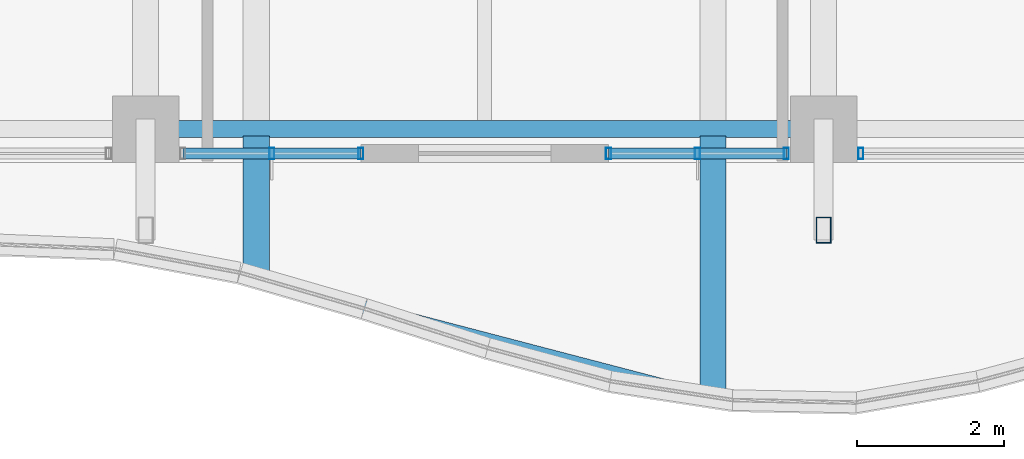
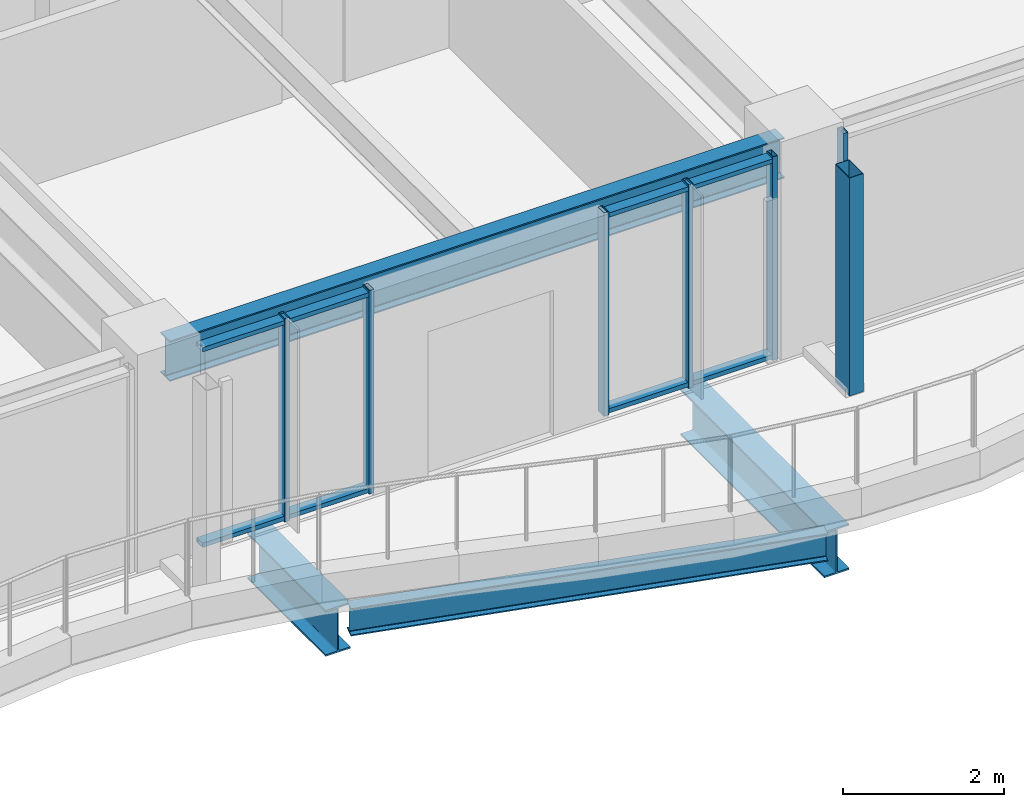
# One storey, part 5 of 37: 11 members, 4 beams, 3 elements without a shape of their own.
"""IFC4 building model written with IfcOpenShell, lengths in metres."""

from ifc_helpers import new_model, si_unit, direction, frame, origin, origin_2d, place, context, subcontext, project, spatial, hollow_rectangle, i_section, extrude, material, material_profile, profile_set, type_object, element, aggregate, save


model = new_model("IFC4")

# Units and contexts
model_context = context("Model", 3, precision=1e-05, world=origin(), true_north=direction((0.0, 1.0)))
body_context = subcontext(model_context, "Body", "Model", "MODEL_VIEW")
ifc_project = project(units=[si_unit("LENGTHUNIT", "METRE"), si_unit("AREAUNIT", "SQUARE_METRE"), si_unit("VOLUMEUNIT", "CUBIC_METRE"), si_unit("PLANEANGLEUNIT", "RADIAN"), si_unit("MASSUNIT", "GRAM", prefix="KILO")], contexts=[model_context])

# Site, building, storey
site_placement = place(None, origin())
site = spatial("IfcSite", under=ifc_project, at=site_placement, CompositionType="ELEMENT")
building_placement = place(site_placement, origin())
building = spatial("IfcBuilding", under=site, at=building_placement, Name="Kolvaren Belvedere", CompositionType="ELEMENT")
storey_placement = place(building_placement, frame((0.0, 0.0, 180.0)))
storey = spatial("IfcBuildingStorey", under=building, at=storey_placement, Name="L52", CompositionType="ELEMENT", Elevation=180.0)

# Beams
ifc_material_1 = material(Name="Structural steel ASTM A992 Grade 50", Category="steel")
ifc_material_profile_1 = material_profile(ifc_material_1, i_section(OverallWidth=0.35498046875, OverallDepth=0.696044921875, WebThickness=0.015380859375, FlangeThickness=0.02490234375, FilletRadius=0.02197265625, at=origin_2d()), Name="W27X146")
ifc_profile_set_1 = profile_set([ifc_material_profile_1], Name="Structural steel ASTM A992 Grade 50")
beam_type_1 = type_object("IfcBeamType", Name="BM-CANT-BAL", PredefinedType="BEAM", material=ifc_profile_set_1)
beam_1_placement = place(storey_placement, frame((-3.10009765625, -20.044921875, -0.568115234375), z_axis=(0.0, -1.0, 0.0), x_axis=(1.0, 0.0, 0.0)))
element("IfcBeam", 1, at=beam_1_placement, inside=storey, type_object=beam_type_1, Name="L52 Planted Balcony Cantilever BAL-S-1", PredefinedType="BEAM", context=body_context, shape_type="SweptSolid", body=[
    extrude(i_section(OverallWidth=0.35498046875, OverallDepth=0.696044921875, WebThickness=0.015380859375, FlangeThickness=0.02490234375, FilletRadius=0.02197265625, at=origin_2d()), origin(), (0.0, 0.0, 1.0), 1.94189453125),
])
beam_2_placement = place(storey_placement, frame((3.10009765625, -20.044921875, -0.568115234375), z_axis=(0.0, -1.0, 0.0), x_axis=(1.0, 0.0, 0.0)))
element("IfcBeam", 2, at=beam_2_placement, inside=storey, type_object=beam_type_1, Name="L52 Planted Balcony Cantilever BAL-S-2", PredefinedType="BEAM", context=body_context, shape_type="SweptSolid", body=[
    extrude(i_section(OverallWidth=0.35498046875, OverallDepth=0.696044921875, WebThickness=0.015380859375, FlangeThickness=0.02490234375, FilletRadius=0.02197265625, at=origin_2d()), origin(), (0.0, 0.0, 1.0), 3.56103515625),
])
ifc_material_2 = material(Name="Structural steel ASTM A992 Grade 50", Category="steel")
ifc_material_profile_2 = material_profile(ifc_material_2, i_section(OverallWidth=0.180908203125, OverallDepth=0.4169921875, WebThickness=0.010986328125, FlangeThickness=0.018310546875, FilletRadius=0.013916015625, at=origin_2d()), Name="W16X57")
ifc_profile_set_2 = profile_set([ifc_material_profile_2], Name="Structural steel ASTM A992 Grade 50")
beam_type_2 = type_object("IfcBeamType", Name="BM-EDGE-W16X57", PredefinedType="BEAM", material=ifc_profile_set_2)
beam_3_placement = place(storey_placement, frame((-2.964599609375, -22.022216796875, -0.428466796875), z_axis=(0.9675537799, -0.25266515985, 0.0), x_axis=(0.25266515985, 0.9675537799, 0.0)))
element("IfcBeam", 3, at=beam_3_placement, inside=storey, type_object=beam_type_2, Name="L52 Balcony Tip Header Beam BAL-S", PredefinedType="BEAM", context=body_context, shape_type="SweptSolid", body=[
    extrude(i_section(OverallWidth=0.180908203125, OverallDepth=0.4169921875, WebThickness=0.010986328125, FlangeThickness=0.018310546875, FilletRadius=0.013916015625, at=origin_2d()), origin(), (0.0, 0.0, 1.0), 6.1279296875),
])
ifc_material_3 = material(Name="Structural steel ASTM A992 Grade 50", Category="steel")
ifc_material_profile_3 = material_profile(ifc_material_3, i_section(OverallWidth=0.22900390625, OverallDepth=0.612060546875, WebThickness=0.011962890625, FlangeThickness=0.01953125, FilletRadius=0.01806640625, at=origin_2d()), Name="W24X84")
ifc_profile_set_3 = profile_set([ifc_material_profile_3], Name="Structural steel ASTM A992 Grade 50")
beam_type_3 = type_object("IfcBeamType", Name="BM-SPAN-W24X84", PredefinedType="SPANDREL", material=ifc_profile_set_3)
beam_4_placement = place(storey_placement, frame((-4.3974609375, -19.949951171875, 2.77392578125), z_axis=(1.0, 0.0, 0.0), x_axis=(0.0, 1.0, 0.0)))
element("IfcBeam", 4, at=beam_4_placement, inside=storey, type_object=beam_type_3, Name="L52 Perimeter Spandrel S2-S3", PredefinedType="SPANDREL", context=body_context, shape_type="SweptSolid", body=[
    extrude(i_section(OverallWidth=0.22900390625, OverallDepth=0.612060546875, WebThickness=0.011962890625, FlangeThickness=0.01953125, FilletRadius=0.01806640625, at=origin_2d()), origin(), (0.0, 0.0, 1.0), 8.794921875),
])

# Curtain wall, member
ifc_material_4 = material(Name="Anodised pale-metal aluminium AA 6063-T6", Category="aluminium")
curtain_wall_type = type_object("IfcCurtainWallType", Name="CW-Z5-HIGH", PredefinedType="NOTDEFINED", material=ifc_material_4)
curtain_wall_1_placement = place(storey_placement, origin())
curtain_wall_1 = element("IfcCurtainWall", 5, at=curtain_wall_1_placement, inside=storey, type_object=curtain_wall_type, Name="L52 Unitised Curtain Wall FCW-L52-S1-B1", PredefinedType="NOTDEFINED")
ifc_material_5 = material(Name="Anodised pale-metal aluminium AA 6063-T6", Category="aluminium")
ifc_material_profile_4 = material_profile(ifc_material_5, hollow_rectangle(XDim=0.070068359375, YDim=0.14990234375, WallThickness=0.004150390625, at=origin_2d()), Name="ALU-MUL-150X70")
ifc_profile_set_4 = profile_set([ifc_material_profile_4], Name="Anodised pale-metal aluminium AA 6063-T6")
member_type_1 = type_object("IfcMemberType", Name="CW-MUL-150", PredefinedType="MULLION", material=ifc_profile_set_4)
member_1_placement = place(storey_placement, frame((5.10498046875, -20.280029296875, 0.0), z_axis=(0.0, 0.0, 1.0), x_axis=(1.0, 0.0, 0.0)))
member_1 = element("IfcMember", 6, at=member_1_placement, type_object=member_type_1, Name="FCW-L52-S1-B1 Unitised Mullion 3", PredefinedType="MULLION", context=body_context, shape_type="SweptSolid", body=[
    extrude(hollow_rectangle(XDim=0.070068359375, YDim=0.14990234375, WallThickness=0.004150390625, at=origin_2d()), origin(), (0.0, 0.0, 1.0), 3.080078125),
])
aggregate(curtain_wall_1, [member_1])

# Curtain wall, members
curtain_wall_2_placement = place(storey_placement, origin())
curtain_wall_2 = element("IfcCurtainWall", 7, at=curtain_wall_2_placement, inside=storey, type_object=curtain_wall_type, Name="L52 Unitised Curtain Wall FCW-L52-S1-B2", PredefinedType="NOTDEFINED")
member_2_placement = place(storey_placement, frame((4.094970703125, -20.280029296875, 0.0), z_axis=(0.0, 0.0, 1.0), x_axis=(1.0, 0.0, 0.0)))
member_2 = element("IfcMember", 8, at=member_2_placement, type_object=member_type_1, Name="FCW-L52-S1-B2 Unitised Mullion 1", PredefinedType="MULLION", context=body_context, shape_type="SweptSolid", body=[
    extrude(hollow_rectangle(XDim=0.070068359375, YDim=0.14990234375, WallThickness=0.004150390625, at=origin_2d()), origin(), (0.0, 0.0, 1.0), 3.080078125),
])
member_3_placement = place(storey_placement, frame((2.887451171875, -20.280029296875, 0.0), z_axis=(0.0, 0.0, 1.0), x_axis=(1.0, 0.0, 0.0)))
member_3 = element("IfcMember", 9, at=member_3_placement, type_object=member_type_1, Name="FCW-L52-S1-B2 Unitised Mullion 2", PredefinedType="MULLION", context=body_context, shape_type="SweptSolid", body=[
    extrude(hollow_rectangle(XDim=0.070068359375, YDim=0.14990234375, WallThickness=0.004150390625, at=origin_2d()), origin(), (0.0, 0.0, 1.0), 3.080078125),
])
member_4_placement = place(storey_placement, frame((1.679931640625, -20.280029296875, 0.0), z_axis=(0.0, 0.0, 1.0), x_axis=(1.0, 0.0, 0.0)))
member_4 = element("IfcMember", 10, at=member_4_placement, type_object=member_type_1, Name="FCW-L52-S1-B2 Unitised Mullion 3", PredefinedType="MULLION", context=body_context, shape_type="SweptSolid", body=[
    extrude(hollow_rectangle(XDim=0.070068359375, YDim=0.14990234375, WallThickness=0.004150390625, at=origin_2d()), origin(), (0.0, 0.0, 1.0), 3.080078125),
])

curtain_wall_3_placement = place(storey_placement, origin())
curtain_wall_3 = element("IfcCurtainWall", 11, at=curtain_wall_3_placement, inside=storey, type_object=curtain_wall_type, Name="L52 Unitised Curtain Wall FCW-L52-S2-B1", PredefinedType="NOTDEFINED")
member_5_placement = place(storey_placement, frame((-1.679931640625, -20.280029296875, 0.0), z_axis=(0.0, 0.0, 1.0), x_axis=(1.0, 0.0, 0.0)))
member_5 = element("IfcMember", 12, at=member_5_placement, type_object=member_type_1, Name="FCW-L52-S2-B1 Unitised Mullion 1", PredefinedType="MULLION", context=body_context, shape_type="SweptSolid", body=[
    extrude(hollow_rectangle(XDim=0.070068359375, YDim=0.14990234375, WallThickness=0.004150390625, at=origin_2d()), origin(), (0.0, 0.0, 1.0), 3.080078125),
])
member_6_placement = place(storey_placement, frame((-2.887451171875, -20.280029296875, 0.0), z_axis=(0.0, 0.0, 1.0), x_axis=(1.0, 0.0, 0.0)))
member_6 = element("IfcMember", 13, at=member_6_placement, type_object=member_type_1, Name="FCW-L52-S2-B1 Unitised Mullion 2", PredefinedType="MULLION", context=body_context, shape_type="SweptSolid", body=[
    extrude(hollow_rectangle(XDim=0.070068359375, YDim=0.14990234375, WallThickness=0.004150390625, at=origin_2d()), origin(), (0.0, 0.0, 1.0), 3.080078125),
])

# Member
ifc_material_6 = material(Name="Anodised pale-metal aluminium AA 6063-T6", Category="aluminium")
ifc_material_profile_5 = material_profile(ifc_material_6, hollow_rectangle(XDim=0.06494140625, YDim=0.14990234375, WallThickness=0.00390625, at=origin_2d()), Name="ALU-TRN-150X65")
ifc_profile_set_5 = profile_set([ifc_material_profile_5], Name="Anodised pale-metal aluminium AA 6063-T6")
member_type_2 = type_object("IfcMemberType", Name="CW-TRN-150", PredefinedType="USERDEFINED", material=ifc_profile_set_5)
member_7_placement = place(storey_placement, frame((4.094970703125, -20.280029296875, 0.06005859375), z_axis=(-1.0, 0.0, 0.0), x_axis=(0.0, 0.0, 1.0)))
member_7 = element("IfcMember", 14, at=member_7_placement, type_object=member_type_2, Name="FCW-L52-S1-B2 Sill Transom", ObjectType="TRANSOM", PredefinedType="USERDEFINED", context=body_context, shape_type="SweptSolid", body=[
    extrude(hollow_rectangle(XDim=0.06494140625, YDim=0.14990234375, WallThickness=0.00390625, at=origin_2d()), origin(), (0.0, 0.0, 1.0), 2.4150390625),
])

member_8_placement = place(storey_placement, frame((4.094970703125, -20.280029296875, 3.02001953125), z_axis=(-1.0, 0.0, 0.0), x_axis=(0.0, 0.0, 1.0)))
member_8 = element("IfcMember", 15, at=member_8_placement, type_object=member_type_2, Name="FCW-L52-S1-B2 Head Transom", ObjectType="TRANSOM", PredefinedType="USERDEFINED", context=body_context, shape_type="SweptSolid", body=[
    extrude(hollow_rectangle(XDim=0.06494140625, YDim=0.14990234375, WallThickness=0.00390625, at=origin_2d()), origin(), (0.0, 0.0, 1.0), 2.4150390625),
])

aggregate(curtain_wall_2, [member_2, member_3, member_4, member_7, member_8])

member_9_placement = place(storey_placement, frame((-1.679931640625, -20.280029296875, 0.06005859375), z_axis=(-1.0, 0.0, 0.0), x_axis=(0.0, 0.0, 1.0)))
member_9 = element("IfcMember", 16, at=member_9_placement, type_object=member_type_2, Name="FCW-L52-S2-B1 Sill Transom", ObjectType="TRANSOM", PredefinedType="USERDEFINED", context=body_context, shape_type="SweptSolid", body=[
    extrude(hollow_rectangle(XDim=0.06494140625, YDim=0.14990234375, WallThickness=0.00390625, at=origin_2d()), origin(), (0.0, 0.0, 1.0), 2.4150390625),
])

member_10_placement = place(storey_placement, frame((-1.679931640625, -20.280029296875, 3.02001953125), z_axis=(-1.0, 0.0, 0.0), x_axis=(0.0, 0.0, 1.0)))
member_10 = element("IfcMember", 17, at=member_10_placement, type_object=member_type_2, Name="FCW-L52-S2-B1 Head Transom", ObjectType="TRANSOM", PredefinedType="USERDEFINED", context=body_context, shape_type="SweptSolid", body=[
    extrude(hollow_rectangle(XDim=0.06494140625, YDim=0.14990234375, WallThickness=0.00390625, at=origin_2d()), origin(), (0.0, 0.0, 1.0), 2.4150390625),
])

aggregate(curtain_wall_3, [member_5, member_6, member_9, member_10])

ifc_material_7 = material(Name="Anodised pale-metal aluminium AA 6063-T6", Category="aluminium")
ifc_material_profile_6 = material_profile(ifc_material_7, hollow_rectangle(XDim=0.199951171875, YDim=0.35009765625, WallThickness=0.007568359375, at=origin_2d()), Name="ALU-PF-350X200")
ifc_profile_set_6 = profile_set([ifc_material_profile_6], Name="Anodised pale-metal aluminium AA 6063-T6")
member_type_3 = type_object("IfcMemberType", Name="PF-FRAME-350", PredefinedType="USERDEFINED", material=ifc_profile_set_6)
member_11_placement = place(storey_placement, frame((4.60009765625, -21.320068359375, 0.0), z_axis=(0.0, 0.0, 1.0), x_axis=(1.0, 0.0, 0.0)))
element("IfcMember", 18, at=member_11_placement, inside=storey, type_object=member_type_3, Name="L52 Outboard Picture-Frame Vertical S1", ObjectType="PICTURE FRAME FIN", PredefinedType="USERDEFINED", context=body_context, shape_type="SweptSolid", body=[
    extrude(hollow_rectangle(XDim=0.199951171875, YDim=0.35009765625, WallThickness=0.007568359375, at=origin_2d()), origin(), (0.0, 0.0, 1.0), 3.300048828125),
])

save(model, "model.ifc")
